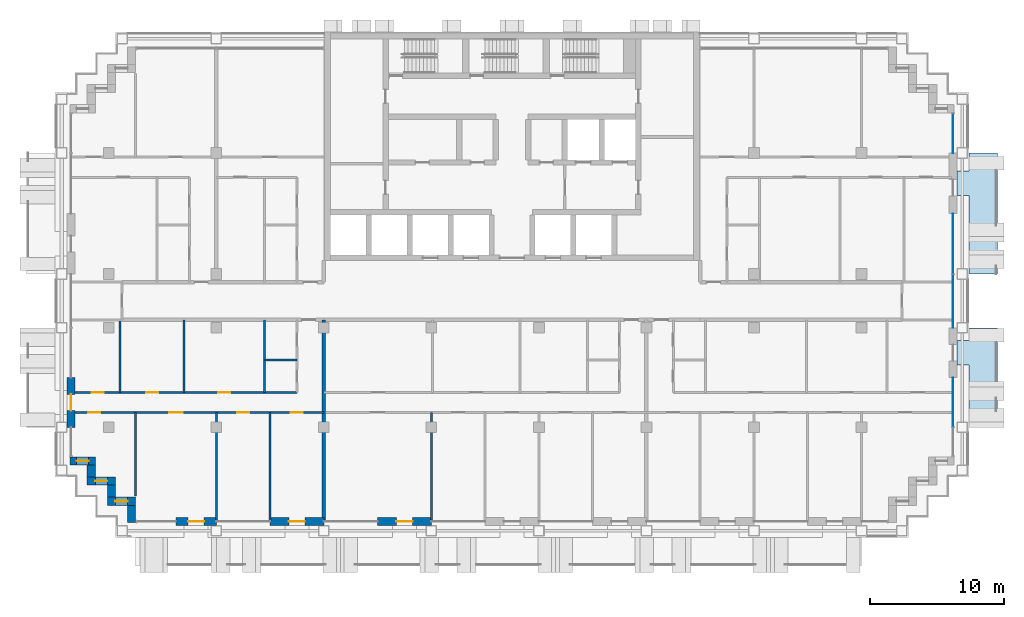
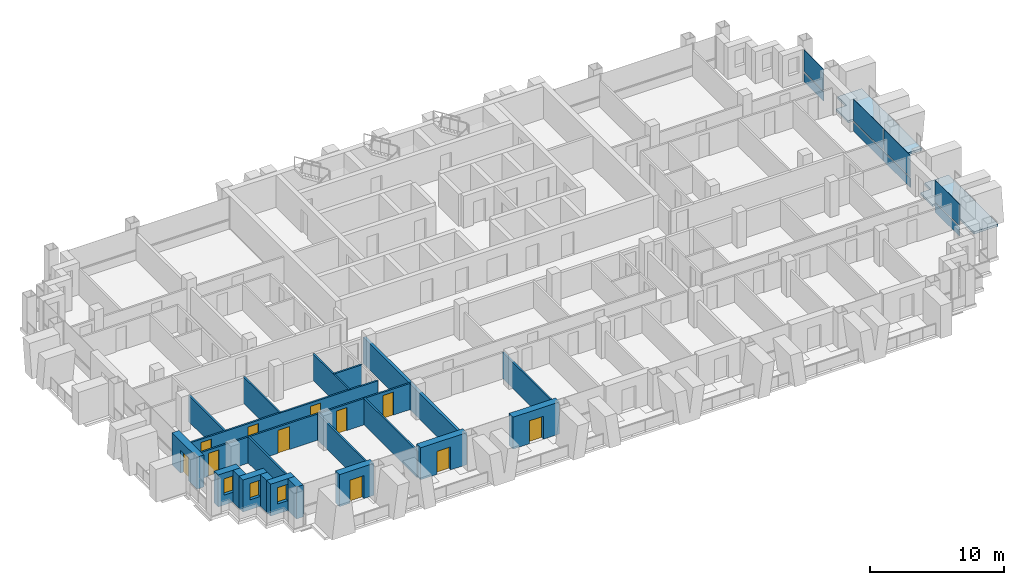
# One storey, part 7 of 17: 21 walls, 11 doors, 8 plates, 3 windows, 2 slabs, 14 openings, 3 elements without a shape of their own.
"""IFC4 building model written with IfcOpenShell, lengths in metres."""

import ifcopenshell
import ifcopenshell.guid

model = None  # the IFC model being written
_history = None  # IfcOwnerHistory: only IFC2X3 demands one
_inside = {}  # id of a spatial element -> (the spatial element, [elements in it])
_under = {}  # id of a project, library or spatial element -> (it, [spatial elements below it])
_declared = {}  # id of a project -> (the project, [libraries it declares])
_typed = {}  # id of a type object -> (the type object, [elements of that type])
_made_of = {}  # id of a material, layer set ... -> (it, [elements and type objects made of it])


def new_model(schema):
    """Start an empty IFC model of exactly this schema.

    Asked for "IFC4X3", IfcOpenShell would pick the latest addendum, in which some entities
    have other attributes; the version numbers below select the first issue.
    IFC2X3 requires an IfcOwnerHistory on every rooted entity: one is made here for all.
    """
    global model, _history
    if schema == "IFC4X3":
        model = ifcopenshell.file(schema_version=(4, 3, 0, 0))
    else:
        model = ifcopenshell.file(schema=schema)
    _inside.clear()
    _under.clear()
    _declared.clear()
    _typed.clear()
    _made_of.clear()
    _history = None
    if model.schema == "IFC2X3":
        org = make("IfcOrganization", Name="unknown")
        user = make(
            "IfcPersonAndOrganization",
            ThePerson=make("IfcPerson", FamilyName="unknown"),
            TheOrganization=org,
        )
        app = make(
            "IfcApplication",
            ApplicationDeveloper=org,
            Version="unknown",
            ApplicationFullName="unknown",
            ApplicationIdentifier="unknown",
        )
        _history = make(
            "IfcOwnerHistory",
            OwningUser=user,
            OwningApplication=app,
            ChangeAction="ADDED",
            CreationDate=0,
        )
    return model


def make(cls, **values):
    """One entity of the class cls with the attributes given. An attribute that is None is left unset."""
    return model.create_entity(
        cls, **{name: value for name, value in values.items() if value is not None}
    )


def rooted(cls, **values):
    """An entity with a GlobalId (a new one), such as an element, a storey or a relation."""
    return make(cls, GlobalId=ifcopenshell.guid.new(), OwnerHistory=_history, **values)


def si_unit(unit_type, name, prefix=None):
    """IfcSIUnit, for example si_unit("LENGTHUNIT", "METRE", prefix="MILLI")."""
    return make("IfcSIUnit", UnitType=unit_type, Prefix=prefix, Name=name)


def assignment(units):
    """IfcUnitAssignment: the units of a project."""
    return None if units is None else make("IfcUnitAssignment", Units=units)


def point(xyz):
    """IfcCartesianPoint."""
    return None if xyz is None else make("IfcCartesianPoint", Coordinates=xyz)


def direction(xyz):
    """IfcDirection."""
    return None if xyz is None else make("IfcDirection", DirectionRatios=xyz)


def frame(location, z_axis=None, x_axis=None):
    """IfcAxis2Placement3D, a coordinate frame: its origin and axes. An axis left out is left unset."""
    return make(
        "IfcAxis2Placement3D",
        Location=point(location),
        Axis=direction(z_axis),
        RefDirection=direction(x_axis),
    )


def frame_2d(location, x_axis=None):
    """IfcAxis2Placement2D, a coordinate frame in the plane: its origin and x axis."""
    return make(
        "IfcAxis2Placement2D", Location=point(location), RefDirection=direction(x_axis)
    )


def origin():
    """The frame at (0, 0, 0) with its axes left unset."""
    return frame((0.0, 0.0, 0.0))


def origin_2d():
    """The frame at (0, 0) in the plane with its x axis left unset."""
    return frame_2d((0.0, 0.0))


def place(relative_to, where):
    """IfcLocalPlacement: puts the frame where relative to a parent placement (None: the world)."""
    return make(
        "IfcLocalPlacement", PlacementRelTo=relative_to, RelativePlacement=where
    )


def context(
    kind, dimensions, precision=None, world=None, true_north=None, identifier=None
):
    """IfcGeometricRepresentationContext, for example the 3D "Model" context."""
    return make(
        "IfcGeometricRepresentationContext",
        ContextIdentifier=identifier,
        ContextType=kind,
        CoordinateSpaceDimension=dimensions,
        Precision=precision,
        WorldCoordinateSystem=world,
        TrueNorth=true_north,
    )


def subcontext(parent, identifier, kind, view, scale=None):
    """IfcGeometricRepresentationSubContext, for example "Body" below "Model"."""
    return make(
        "IfcGeometricRepresentationSubContext",
        ContextIdentifier=identifier,
        ContextType=kind,
        ParentContext=parent,
        TargetScale=scale,
        TargetView=view,
    )


def project(units=None, contexts=None):
    """IfcProject with its units and contexts."""
    return rooted(
        "IfcProject",
        Name="project",
        RepresentationContexts=contexts,
        UnitsInContext=assignment(units),
    )


def spatial(cls, under=None, at=None, **own):
    """A site, building, storey or space (cls), placed at a placement, below another one or the project."""
    s = rooted(cls, ObjectPlacement=at, **own)
    if under is not None:
        _under.setdefault(under.id(), (under, []))[1].append(s)
    return s


def polyline(points):
    """IfcPolyline through the points."""
    return make("IfcPolyline", Points=[point(p) for p in points])


def profile(cls, at=None, kind="AREA", **sizes):
    """A parametric profile (cls). Its sizes go by their IFC names, for example OverallWidth=200.0."""
    return make(cls, ProfileType=kind, Position=at, **sizes)


def rectangle(**sizes):
    """IfcRectangleProfileDef."""
    return profile("IfcRectangleProfileDef", **sizes)


def outline(outer, holes=None, kind="AREA"):
    """IfcArbitraryClosedProfileDef: a profile drawn as a closed curve; with holes, ...WithVoids."""
    if holes is None:
        return make("IfcArbitraryClosedProfileDef", ProfileType=kind, OuterCurve=outer)
    return make(
        "IfcArbitraryProfileDefWithVoids",
        ProfileType=kind,
        OuterCurve=outer,
        InnerCurves=holes,
    )


def extrude(swept, where, along, depth):
    """IfcExtrudedAreaSolid: the profile swept, set in the frame where, extruded along a direction by depth."""
    return make(
        "IfcExtrudedAreaSolid",
        SweptArea=swept,
        Position=where,
        ExtrudedDirection=direction(along),
        Depth=depth,
    )


def shape(context_of_items, identifier, shape_type, items):
    """IfcShapeRepresentation: the items that make up one representation, for example the "Body"."""
    return make(
        "IfcShapeRepresentation",
        ContextOfItems=context_of_items,
        RepresentationIdentifier=identifier,
        RepresentationType=shape_type,
        Items=items,
    )


def material(Name=None, Category=None):
    """IfcMaterial."""
    return make("IfcMaterial", Name=Name, Category=Category)


def layer(
    of_material, thickness, ventilated=None, Name=None, Category=None, Priority=None
):
    """IfcMaterialLayer: one layer of a wall or slab, of a material (None: an air gap)."""
    return make(
        "IfcMaterialLayer",
        Material=of_material,
        LayerThickness=thickness,
        IsVentilated=ventilated,
        Name=Name,
        Category=Category,
        Priority=Priority,
    )


def layer_set(layers, Name=None):
    """IfcMaterialLayerSet."""
    return make("IfcMaterialLayerSet", MaterialLayers=layers, LayerSetName=Name)


def made_of(thing, what):
    """Note that an element or type object is made of a material, layer set ...; save() writes the relation."""
    if what is not None:
        _made_of.setdefault(what.id(), (what, []))[1].append(thing)
    return thing


def type_object(cls, material=None, **own):
    """A type object (cls), such as IfcWallType, which elements share."""
    return made_of(rooted(cls, **own), material)


def element(
    cls,
    number,
    at=None,
    inside=None,
    cuts=None,
    type_object=None,
    material=None,
    context=None,
    identifier="Body",
    shape_type=None,
    held_by="IfcProductDefinitionShape",
    body=None,
    shapes=None,
    **own,
):
    """One element of the class cls, such as IfcWall. Its Tag is "e" and its number.

    at: its placement. inside: the storey or other place that contains it. cuts: it is an
    opening in that element (IfcRelVoidsElement). A single representation is given by context,
    identifier, shape_type and body (its items); several are given by shapes. held_by: the class
    of the entity that holds the representations. save() writes the other relations.
    """
    e = rooted(cls, Tag="e%d" % number, ObjectPlacement=at, **own)
    if body is not None:
        shapes = [shape(context, identifier, shape_type, body)]
    if shapes is not None:
        e.Representation = make(held_by, Representations=shapes)
    if inside is not None:
        _inside.setdefault(inside.id(), (inside, []))[1].append(e)
    if cuts is not None:
        rooted(
            "IfcRelVoidsElement", RelatingBuildingElement=cuts, RelatedOpeningElement=e
        )
    if type_object is not None:
        _typed.setdefault(type_object.id(), (type_object, []))[1].append(e)
    return made_of(e, material)


def fill(opening, filler):
    """IfcRelFillsElement: the door or window that sits in an opening."""
    return rooted(
        "IfcRelFillsElement",
        RelatingOpeningElement=opening,
        RelatedBuildingElement=filler,
    )


def aggregate(whole, parts):
    """IfcRelAggregates: a whole, such as a stair, and the parts it consists of."""
    return rooted("IfcRelAggregates", RelatingObject=whole, RelatedObjects=parts)


def save(model, path):
    """Write the relations noted so far, then the file.

    IfcRelAggregates (storeys below a building ...), IfcRelContainedInSpatialStructure (elements
    in a storey), IfcRelDefinesByType, IfcRelAssociatesMaterial and IfcRelDeclares: one each for
    every whole, place, type object, material and project.
    """
    for whole, parts in _under.values():
        aggregate(whole, parts)
    for where, things in _inside.values():
        rooted(
            "IfcRelContainedInSpatialStructure",
            RelatedElements=things,
            RelatingStructure=where,
        )
    for kind, things in _typed.values():
        rooted("IfcRelDefinesByType", RelatedObjects=things, RelatingType=kind)
    for what, things in _made_of.values():
        rooted("IfcRelAssociatesMaterial", RelatedObjects=things, RelatingMaterial=what)
    for by, libraries in _declared.values():
        rooted("IfcRelDeclares", RelatingContext=by, RelatedDefinitions=libraries)
    model.write(path)


model = new_model("IFC4")

# Units and contexts
model_context = context("Model", 3, precision=1e-05, world=origin(), true_north=direction((0.0, 1.0)))
body_context = subcontext(model_context, "Body", "Model", "MODEL_VIEW")
ifc_project = project(units=[si_unit("LENGTHUNIT", "METRE"), si_unit("AREAUNIT", "SQUARE_METRE"), si_unit("VOLUMEUNIT", "CUBIC_METRE"), si_unit("PLANEANGLEUNIT", "RADIAN"), si_unit("MASSUNIT", "GRAM", prefix="KILO")], contexts=[model_context])

# Site, building, storey
site_placement = place(None, origin())
site = spatial("IfcSite", under=ifc_project, at=site_placement, CompositionType="ELEMENT")
building_placement = place(site_placement, origin())
building = spatial("IfcBuilding", under=site, at=building_placement, Name="Vidyagriha Tower", CompositionType="ELEMENT")
storey_placement = place(building_placement, frame((0.0, 0.0, 139.0)))
storey = spatial("IfcBuildingStorey", under=building, at=storey_placement, Name="L36", CompositionType="ELEMENT", Elevation=139.0)

# Curtain wall, plate
ifc_material_1 = material(Name="Aluminium and glass curtain wall", Category="aluminium")
curtain_wall_type = type_object("IfcCurtainWallType", Name="Dwelling skin unitised curtain wall", PredefinedType="USERDEFINED", material=ifc_material_1)
curtain_wall_1_placement = place(storey_placement, origin())
curtain_wall_1 = element("IfcCurtainWall", 1, at=curtain_wall_1_placement, inside=storey, type_object=curtain_wall_type, Name="CW1 dwelling skin", ObjectType="UNITISED", PredefinedType="USERDEFINED")
ifc_material_2 = material(Name="Glass dark ceramic-fritted spandrel", Category="glass")
ifc_layer_1 = layer(ifc_material_2, 0.0400390625)
ifc_layer_set_1 = layer_set([ifc_layer_1], Name="Glass dark ceramic-fritted spandrel")
plate_type_1 = type_object("IfcPlateType", Name="Ceramic-fritted spandrel panel", PredefinedType="CURTAIN_PANEL", material=ifc_layer_set_1)
plate_1_placement = place(storey_placement, frame((32.800048828125, -7.532470703125, 0.0), z_axis=(0.0, 0.0, 1.0), x_axis=(0.0, 1.0, 0.0)))
plate_1 = element("IfcPlate", 2, at=plate_1_placement, type_object=plate_type_1, Name="CW1 panel 2.1", PredefinedType="CURTAIN_PANEL", context=body_context, shape_type="SweptSolid", body=[
    extrude(rectangle(XDim=3.6650390625, YDim=0.0400390625, at=origin_2d()), origin(), (0.0, 0.0, 1.0), 0.85009765625),
])

curtain_wall_2_placement = place(storey_placement, origin())
curtain_wall_2 = element("IfcCurtainWall", 3, at=curtain_wall_2_placement, inside=storey, type_object=curtain_wall_type, Name="CW1 dwelling skin", ObjectType="UNITISED", PredefinedType="USERDEFINED")
plate_2_placement = place(storey_placement, frame((32.800048828125, 12.465087890625, 0.0), z_axis=(0.0, 0.0, 1.0), x_axis=(0.0, 1.0, 0.0)))
plate_2 = element("IfcPlate", 4, at=plate_2_placement, type_object=plate_type_1, Name="CW1 panel 1.1", PredefinedType="CURTAIN_PANEL", context=body_context, shape_type="SweptSolid", body=[
    extrude(rectangle(XDim=2.929931640625, YDim=0.0400390625, at=origin_2d()), origin(), (0.0, 0.0, 1.0), 0.85009765625),
])

# Plate
ifc_material_3 = material(Name="Glass dark ceramic-fritted", Category="glass")
ifc_layer_2 = layer(ifc_material_3, 0.028076171875)
ifc_layer_set_2 = layer_set([ifc_layer_2], Name="Glass dark ceramic-fritted")
plate_type_2 = type_object("IfcPlateType", Name="Dark ceramic-fritted vision glass panel", PredefinedType="CURTAIN_PANEL", material=ifc_layer_set_2)
plate_3_placement = place(storey_placement, frame((32.800048828125, -7.532470703125, 0.9501953125), z_axis=(0.0, 0.0, 1.0), x_axis=(0.0, 1.0, 0.0)))
plate_3 = element("IfcPlate", 5, at=plate_3_placement, type_object=plate_type_2, Name="CW1 panel 2.2", PredefinedType="CURTAIN_PANEL", context=body_context, shape_type="SweptSolid", body=[
    extrude(rectangle(XDim=3.6650390625, YDim=0.028076171875, at=origin_2d()), origin(), (0.0, 0.0, 1.0), 1.969970703125),
])

aggregate(curtain_wall_1, [plate_1, plate_3])

# Curtain wall, plates
curtain_wall_3_placement = place(storey_placement, origin())
curtain_wall_3 = element("IfcCurtainWall", 6, at=curtain_wall_3_placement, inside=storey, type_object=curtain_wall_type, Name="CW1 dwelling skin", ObjectType="UNITISED", PredefinedType="USERDEFINED")
plate_4_placement = place(storey_placement, frame((32.800048828125, -0.017578125, 0.9501953125), z_axis=(0.0, 0.0, 1.0), x_axis=(0.0, 1.0, 0.0)))
plate_4 = element("IfcPlate", 7, at=plate_4_placement, type_object=plate_type_2, Name="CW1 panel 1.2", PredefinedType="CURTAIN_PANEL", context=body_context, shape_type="SweptSolid", body=[
    extrude(rectangle(XDim=3.965087890625, YDim=0.028076171875, at=origin_2d()), origin(), (0.0, 0.0, 1.0), 1.969970703125),
])
plate_5_placement = place(storey_placement, frame((32.800048828125, 4.267578125, 0.9501953125), z_axis=(0.0, 0.0, 1.0), x_axis=(0.0, 1.0, 0.0)))
plate_5 = element("IfcPlate", 8, at=plate_5_placement, type_object=plate_type_2, Name="CW1 panel 2.2", PredefinedType="CURTAIN_PANEL", context=body_context, shape_type="SweptSolid", body=[
    extrude(rectangle(XDim=4.465087890625, YDim=0.028076171875, at=origin_2d()), origin(), (0.0, 0.0, 1.0), 1.969970703125),
])

# Plate
plate_6_placement = place(storey_placement, frame((32.800048828125, 12.465087890625, 0.9501953125), z_axis=(0.0, 0.0, 1.0), x_axis=(0.0, 1.0, 0.0)))
plate_6 = element("IfcPlate", 9, at=plate_6_placement, type_object=plate_type_2, Name="CW1 panel 1.2", PredefinedType="CURTAIN_PANEL", context=body_context, shape_type="SweptSolid", body=[
    extrude(rectangle(XDim=2.929931640625, YDim=0.028076171875, at=origin_2d()), origin(), (0.0, 0.0, 1.0), 1.969970703125),
])

aggregate(curtain_wall_2, [plate_2, plate_6])

ifc_material_4 = material(Name="Aluminium black anodised", Category="aluminium")
ifc_layer_3 = layer(ifc_material_4, 0.06005859375)
ifc_layer_set_3 = layer_set([ifc_layer_3], Name="Aluminium black anodised")
plate_type_3 = type_object("IfcPlateType", Name="Operable black-metal vent panel", PredefinedType="CURTAIN_PANEL", material=ifc_layer_set_3)
plate_7_placement = place(storey_placement, frame((32.800048828125, -0.017578125, 0.0), z_axis=(0.0, 0.0, 1.0), x_axis=(0.0, 1.0, 0.0)))
plate_7 = element("IfcPlate", 10, at=plate_7_placement, type_object=plate_type_3, Name="CW1 panel 1.1", PredefinedType="CURTAIN_PANEL", context=body_context, shape_type="SweptSolid", body=[
    extrude(rectangle(XDim=3.965087890625, YDim=0.06005859375, at=origin_2d()), origin(), (0.0, 0.0, 1.0), 0.85009765625),
])

plate_8_placement = place(storey_placement, frame((32.800048828125, 4.267578125, 0.0), z_axis=(0.0, 0.0, 1.0), x_axis=(0.0, 1.0, 0.0)))
plate_8 = element("IfcPlate", 11, at=plate_8_placement, type_object=plate_type_3, Name="CW1 panel 2.1", PredefinedType="CURTAIN_PANEL", context=body_context, shape_type="SweptSolid", body=[
    extrude(rectangle(XDim=4.465087890625, YDim=0.06005859375, at=origin_2d()), origin(), (0.0, 0.0, 1.0), 0.85009765625),
])

aggregate(curtain_wall_3, [plate_7, plate_4, plate_8, plate_5])

# Slabs
ifc_material_5 = material(Name="Precast concrete C40/50", Category="concrete")
ifc_layer_4 = layer(ifc_material_5, 0.199951171875)
ifc_layer_set_4 = layer_set([ifc_layer_4], Name="Precast concrete C40/50")
slab_type = type_object("IfcSlabType", Name="Precast balcony slab 200", PredefinedType="USERDEFINED", material=ifc_layer_set_4)
slab_1_placement = place(storey_placement, frame((0.0, 0.0, -0.199951171875)))
element("IfcSlab", 12, at=slab_1_placement, inside=storey, type_object=slab_type, Name="Balcony slab L36 R30.1-1", ObjectType="BALCONY", PredefinedType="USERDEFINED", context=body_context, shape_type="SweptSolid", body=[
    extrude(outline(polyline([(34.0, -4.75), (34.0, -9.39990234375), (36.10009765625, -9.39990234375), (36.10009765625, -2.0), (34.0, -2.0), (34.0, -2.949951171875), (33.10009765625, -2.949951171875), (33.10009765625, -4.75), (34.0, -4.75)])), origin(), (0.0, 0.0, 1.0), 0.199951171875),
])
slab_2_placement = place(storey_placement, frame((0.0, 0.0, -0.199951171875)))
element("IfcSlab", 13, at=slab_2_placement, inside=storey, type_object=slab_type, Name="Balcony slab L36 R30.2-2", ObjectType="BALCONY", PredefinedType="USERDEFINED", context=body_context, shape_type="SweptSolid", body=[
    extrude(outline(polyline([(34.0, 7.85009765625), (34.0, 2.0), (36.10009765625, 2.0), (36.10009765625, 11.0), (34.0, 11.0), (34.0, 9.64990234375), (33.10009765625, 9.64990234375), (33.10009765625, 7.85009765625), (34.0, 7.85009765625)])), origin(), (0.0, 0.0, 1.0), 0.199951171875),
])

# Wall, opening, door
ifc_material_6 = material(Name="Precast concrete C40/50 with brick facing", Category="concrete")
ifc_layer_5 = layer(ifc_material_6, 0.60009765625)
ifc_layer_set_5 = layer_set([ifc_layer_5], Name="Precast concrete C40/50 with brick facing")
wall_type_1 = type_object("IfcWallType", Name="Brick-faced precast wall 600", PredefinedType="STANDARD", material=ifc_layer_set_5)
wall_1_placement = place(storey_placement, frame((-32.800048828125, -5.699951171875, 0.0), z_axis=(0.0, 0.0, 1.0), x_axis=(0.0, -1.0, 0.0)))
wall_1 = element("IfcWall", 14, at=wall_1_placement, inside=storey, type_object=wall_type_1, Name="Brick door bay wall L36 R16.6", PredefinedType="STANDARD", context=body_context, shape_type="SweptSolid", body=[
    extrude(rectangle(XDim=3.699951171875, YDim=0.60009765625, at=frame_2d((1.85009765625, 0.0))), origin(), (0.0, 0.0, 1.0), 2.919921875),
])
opening_1_placement = place(wall_1_placement, frame((1.25, 0.0, 0.0)))
opening_1 = element("IfcOpeningElement", 15, at=opening_1_placement, cuts=wall_1, Name="Opening D36-68", PredefinedType="OPENING", context=body_context, shape_type="SweptSolid", body=[
    extrude(rectangle(XDim=1.199951171875, YDim=2.10009765625, at=frame_2d((0.60009765625, 1.050048828125))), frame((0.0, 0.31005859375, 0.0), z_axis=(0.0, -1.0, 0.0), x_axis=(1.0, 0.0, 0.0)), (0.0, 0.0, 1.0), 0.6201171875),
])
ifc_material_7 = material(Name="Aluminium framed glazed sliding door", Category="aluminium")
door_type_1 = type_object("IfcDoorType", Name="Balcony sliding door 1200x2100", OperationType="NOTDEFINED", PredefinedType="DOOR", material=ifc_material_7)
door_1_placement = place(opening_1_placement, origin())
door_1 = element("IfcDoor", 16, at=door_1_placement, inside=storey, type_object=door_type_1, Name="Door D36-68", OperationType="SLIDING_TO_LEFT", OverallHeight=2.10009765625, OverallWidth=1.199951171875, PredefinedType="DOOR", context=body_context, shape_type="SweptSolid", body=[
    extrude(rectangle(XDim=1.199951171875, YDim=2.10009765625, at=frame_2d((0.60009765625, 1.050048828125))), frame((0.0, 0.02490234375, 0.0), z_axis=(0.0, -1.0, 0.0), x_axis=(1.0, 0.0, 0.0)), (0.0, 0.0, 1.0), 0.050048828125),
])
fill(opening_1, door_1)

# Wall, opening, window
wall_2_placement = place(storey_placement, frame((-32.8798828125, -11.89990234375, 0.0)))
wall_2 = element("IfcWall", 17, at=wall_2_placement, inside=storey, type_object=wall_type_1, Name="Stepped corner wall L36 R17", PredefinedType="STANDARD", context=body_context, shape_type="SweptSolid", body=[
    extrude(rectangle(XDim=1.8798828125, YDim=0.60009765625, at=frame_2d((0.93994140625, 0.0))), origin(), (0.0, 0.0, 1.0), 2.919921875),
])
opening_2_placement = place(wall_2_placement, frame((0.489990234375, 0.0, 0.89990234375)))
opening_2 = element("IfcOpeningElement", 18, at=opening_2_placement, cuts=wall_2, Name="Opening WN1", PredefinedType="OPENING", context=body_context, shape_type="SweptSolid", body=[
    extrude(rectangle(XDim=0.89990234375, YDim=1.5, at=frame_2d((0.449951171875, 0.75))), frame((0.0, 0.31005859375, 0.0), z_axis=(0.0, -1.0, 0.0), x_axis=(1.0, 0.0, 0.0)), (0.0, 0.0, 1.0), 0.6201171875),
])
ifc_material_8 = material(Name="Aluminium and glass window", Category="aluminium")
window_type = type_object("IfcWindowType", Name="Reveal window 900x1500", PartitioningType="NOTDEFINED", PredefinedType="WINDOW", material=ifc_material_8)
window_1_placement = place(opening_2_placement, origin())
window_1 = element("IfcWindow", 19, at=window_1_placement, inside=storey, type_object=window_type, Name="Reveal window L36 R17", OverallHeight=1.5, OverallWidth=0.89990234375, PartitioningType="SINGLE_PANEL", PredefinedType="WINDOW", context=body_context, shape_type="SweptSolid", body=[
    extrude(rectangle(XDim=0.89990234375, YDim=1.5, at=frame_2d((0.449951171875, 0.75))), frame((0.0, 0.030029296875, 0.0), z_axis=(0.0, -1.0, 0.0), x_axis=(1.0, 0.0, 0.0)), (0.0, 0.0, 1.0), 0.06005859375),
])
fill(opening_2, window_1)

# Wall
wall_3_placement = place(storey_placement, frame((-31.300048828125, -12.199951171875, 0.0), z_axis=(0.0, 0.0, 1.0), x_axis=(0.0, -1.0, 0.0)))
element("IfcWall", 20, at=wall_3_placement, inside=storey, type_object=wall_type_1, Name="Stepped corner wall L36 R18", PredefinedType="STANDARD", context=body_context, shape_type="SweptSolid", body=[
    extrude(rectangle(XDim=0.900146484375, YDim=0.60009765625, at=frame_2d((0.4501953125, 0.0))), origin(), (0.0, 0.0, 1.0), 2.919921875),
])

# Wall, opening, window
wall_4_placement = place(storey_placement, frame((-31.60009765625, -13.39990234375, 0.0)))
wall_4 = element("IfcWall", 21, at=wall_4_placement, inside=storey, type_object=wall_type_1, Name="Stepped corner wall L36 R19", PredefinedType="STANDARD", context=body_context, shape_type="SweptSolid", body=[
    extrude(rectangle(XDim=2.10009765625, YDim=0.60009765625, at=frame_2d((1.050048828125, 0.0))), origin(), (0.0, 0.0, 1.0), 2.919921875),
])
opening_3_placement = place(wall_4_placement, frame((0.60009765625, 0.0, 0.89990234375)))
opening_3 = element("IfcOpeningElement", 22, at=opening_3_placement, cuts=wall_4, Name="Opening WN1", PredefinedType="OPENING", context=body_context, shape_type="SweptSolid", body=[
    extrude(rectangle(XDim=0.89990234375, YDim=1.5, at=frame_2d((0.449951171875, 0.75))), frame((0.0, 0.31005859375, 0.0), z_axis=(0.0, -1.0, 0.0), x_axis=(1.0, 0.0, 0.0)), (0.0, 0.0, 1.0), 0.6201171875),
])
window_2_placement = place(opening_3_placement, origin())
window_2 = element("IfcWindow", 23, at=window_2_placement, inside=storey, type_object=window_type, Name="Reveal window L36 R19", OverallHeight=1.5, OverallWidth=0.89990234375, PartitioningType="SINGLE_PANEL", PredefinedType="WINDOW", context=body_context, shape_type="SweptSolid", body=[
    extrude(rectangle(XDim=0.89990234375, YDim=1.5, at=frame_2d((0.449951171875, 0.75))), frame((0.0, 0.030029296875, 0.0), z_axis=(0.0, -1.0, 0.0), x_axis=(1.0, 0.0, 0.0)), (0.0, 0.0, 1.0), 0.06005859375),
])
fill(opening_3, window_2)

# Wall
wall_5_placement = place(storey_placement, frame((-29.800048828125, -13.699951171875, 0.0), z_axis=(0.0, 0.0, 1.0), x_axis=(0.0, -1.0, 0.0)))
element("IfcWall", 24, at=wall_5_placement, inside=storey, type_object=wall_type_1, Name="Stepped corner wall L36 R20", PredefinedType="STANDARD", context=body_context, shape_type="SweptSolid", body=[
    extrude(rectangle(XDim=0.900146484375, YDim=0.60009765625, at=frame_2d((0.4501953125, 0.0))), origin(), (0.0, 0.0, 1.0), 2.919921875),
])

# Wall, opening, window
wall_6_placement = place(storey_placement, frame((-30.10009765625, -14.89990234375, 0.0)))
wall_6 = element("IfcWall", 25, at=wall_6_placement, inside=storey, type_object=wall_type_1, Name="Stepped corner wall L36 R21", PredefinedType="STANDARD", context=body_context, shape_type="SweptSolid", body=[
    extrude(rectangle(XDim=2.10009765625, YDim=0.60009765625, at=frame_2d((1.050048828125, 0.0))), origin(), (0.0, 0.0, 1.0), 2.919921875),
])
opening_4_placement = place(wall_6_placement, frame((0.60009765625, 0.0, 0.89990234375)))
opening_4 = element("IfcOpeningElement", 26, at=opening_4_placement, cuts=wall_6, Name="Opening WN1", PredefinedType="OPENING", context=body_context, shape_type="SweptSolid", body=[
    extrude(rectangle(XDim=0.89990234375, YDim=1.5, at=frame_2d((0.449951171875, 0.75))), frame((0.0, 0.31005859375, 0.0), z_axis=(0.0, -1.0, 0.0), x_axis=(1.0, 0.0, 0.0)), (0.0, 0.0, 1.0), 0.6201171875),
])
window_3_placement = place(opening_4_placement, origin())
window_3 = element("IfcWindow", 27, at=window_3_placement, inside=storey, type_object=window_type, Name="Reveal window L36 R21", OverallHeight=1.5, OverallWidth=0.89990234375, PartitioningType="SINGLE_PANEL", PredefinedType="WINDOW", context=body_context, shape_type="SweptSolid", body=[
    extrude(rectangle(XDim=0.89990234375, YDim=1.5, at=frame_2d((0.449951171875, 0.75))), frame((0.0, 0.030029296875, 0.0), z_axis=(0.0, -1.0, 0.0), x_axis=(1.0, 0.0, 0.0)), (0.0, 0.0, 1.0), 0.06005859375),
])
fill(opening_4, window_3)

# Wall
wall_7_placement = place(storey_placement, frame((-28.300048828125, -15.199951171875, 0.0), z_axis=(0.0, 0.0, 1.0), x_axis=(0.0, -1.0, 0.0)))
element("IfcWall", 28, at=wall_7_placement, inside=storey, type_object=wall_type_1, Name="Stepped corner wall L36 R22", PredefinedType="STANDARD", context=body_context, shape_type="SweptSolid", body=[
    extrude(rectangle(XDim=1.280029296875, YDim=0.60009765625, at=frame_2d((0.64013671875, 0.0))), origin(), (0.0, 0.0, 1.0), 2.919921875),
])

# Wall, opening, door
wall_8_placement = place(storey_placement, frame((-25.0, -16.39990234375, 0.0)))
wall_8 = element("IfcWall", 29, at=wall_8_placement, inside=storey, type_object=wall_type_1, Name="Brick door bay wall L36 R23.2", PredefinedType="STANDARD", context=body_context, shape_type="SweptSolid", body=[
    extrude(rectangle(XDim=3.0, YDim=0.60009765625, at=frame_2d((1.5, 0.0))), origin(), (0.0, 0.0, 1.0), 2.919921875),
])
opening_5_placement = place(wall_8_placement, frame((0.89990234375, 0.0, 0.0)))
opening_5 = element("IfcOpeningElement", 30, at=opening_5_placement, cuts=wall_8, Name="Opening D36-69", PredefinedType="OPENING", context=body_context, shape_type="SweptSolid", body=[
    extrude(rectangle(XDim=1.199951171875, YDim=2.10009765625, at=frame_2d((0.60009765625, 1.050048828125))), frame((0.0, 0.31005859375, 0.0), z_axis=(0.0, -1.0, 0.0), x_axis=(1.0, 0.0, 0.0)), (0.0, 0.0, 1.0), 0.6201171875),
])
door_2_placement = place(opening_5_placement, origin())
door_2 = element("IfcDoor", 31, at=door_2_placement, inside=storey, type_object=door_type_1, Name="Door D36-69", OperationType="SLIDING_TO_LEFT", OverallHeight=2.10009765625, OverallWidth=1.199951171875, PredefinedType="DOOR", context=body_context, shape_type="SweptSolid", body=[
    extrude(rectangle(XDim=1.199951171875, YDim=2.10009765625, at=frame_2d((0.60009765625, 1.050048828125))), frame((0.0, 0.02490234375, 0.0), z_axis=(0.0, -1.0, 0.0), x_axis=(1.0, 0.0, 0.0)), (0.0, 0.0, 1.0), 0.050048828125),
])
fill(opening_5, door_2)

wall_9_placement = place(storey_placement, frame((-18.0, -16.39990234375, 0.0)))
wall_9 = element("IfcWall", 32, at=wall_9_placement, inside=storey, type_object=wall_type_1, Name="Brick door bay wall L36 R23.4", PredefinedType="STANDARD", context=body_context, shape_type="SweptSolid", body=[
    extrude(rectangle(XDim=4.0, YDim=0.60009765625, at=frame_2d((2.0, 0.0))), origin(), (0.0, 0.0, 1.0), 2.919921875),
])
opening_6_placement = place(wall_9_placement, frame((1.39990234375, 0.0, 0.0)))
opening_6 = element("IfcOpeningElement", 33, at=opening_6_placement, cuts=wall_9, Name="Opening D36-70", PredefinedType="OPENING", context=body_context, shape_type="SweptSolid", body=[
    extrude(rectangle(XDim=1.199951171875, YDim=2.10009765625, at=frame_2d((0.60009765625, 1.050048828125))), frame((0.0, 0.31005859375, 0.0), z_axis=(0.0, -1.0, 0.0), x_axis=(1.0, 0.0, 0.0)), (0.0, 0.0, 1.0), 0.6201171875),
])
door_3_placement = place(opening_6_placement, origin())
door_3 = element("IfcDoor", 34, at=door_3_placement, inside=storey, type_object=door_type_1, Name="Door D36-70", OperationType="SLIDING_TO_LEFT", OverallHeight=2.10009765625, OverallWidth=1.199951171875, PredefinedType="DOOR", context=body_context, shape_type="SweptSolid", body=[
    extrude(rectangle(XDim=1.199951171875, YDim=2.10009765625, at=frame_2d((0.60009765625, 1.050048828125))), frame((0.0, 0.02490234375, 0.0), z_axis=(0.0, -1.0, 0.0), x_axis=(1.0, 0.0, 0.0)), (0.0, 0.0, 1.0), 0.050048828125),
])
fill(opening_6, door_3)

wall_10_placement = place(storey_placement, frame((-10.0, -16.39990234375, 0.0)))
wall_10 = element("IfcWall", 35, at=wall_10_placement, inside=storey, type_object=wall_type_1, Name="Brick door bay wall L36 R23.6", PredefinedType="STANDARD", context=body_context, shape_type="SweptSolid", body=[
    extrude(rectangle(XDim=4.0, YDim=0.60009765625, at=frame_2d((2.0, 0.0))), origin(), (0.0, 0.0, 1.0), 2.919921875),
])
opening_7_placement = place(wall_10_placement, frame((1.39990234375, 0.0, 0.0)))
opening_7 = element("IfcOpeningElement", 36, at=opening_7_placement, cuts=wall_10, Name="Opening D36-71", PredefinedType="OPENING", context=body_context, shape_type="SweptSolid", body=[
    extrude(rectangle(XDim=1.199951171875, YDim=2.10009765625, at=frame_2d((0.60009765625, 1.050048828125))), frame((0.0, 0.31005859375, 0.0), z_axis=(0.0, -1.0, 0.0), x_axis=(1.0, 0.0, 0.0)), (0.0, 0.0, 1.0), 0.6201171875),
])
door_4_placement = place(opening_7_placement, origin())
door_4 = element("IfcDoor", 37, at=door_4_placement, inside=storey, type_object=door_type_1, Name="Door D36-71", OperationType="SLIDING_TO_LEFT", OverallHeight=2.10009765625, OverallWidth=1.199951171875, PredefinedType="DOOR", context=body_context, shape_type="SweptSolid", body=[
    extrude(rectangle(XDim=1.199951171875, YDim=2.10009765625, at=frame_2d((0.60009765625, 1.050048828125))), frame((0.0, 0.02490234375, 0.0), z_axis=(0.0, -1.0, 0.0), x_axis=(1.0, 0.0, 0.0)), (0.0, 0.0, 1.0), 0.050048828125),
])
fill(opening_7, door_4)

# Walls
ifc_material_9 = material(Name="Fired clay brick masonry", Category="masonry")
ifc_layer_6 = layer(ifc_material_9, 0.25)
ifc_layer_set_6 = layer_set([ifc_layer_6], Name="Fired clay brick masonry")
wall_type_2 = type_object("IfcWallType", Name="Fired clay brick demising wall 250", PredefinedType="PARTITIONING", material=ifc_layer_set_6)
wall_11_placement = place(storey_placement, frame((-14.0, -1.39990234375, 0.0), z_axis=(0.0, 0.0, 1.0), x_axis=(0.0, -1.0, 0.0)))
element("IfcWall", 38, at=wall_11_placement, inside=storey, type_object=wall_type_2, Name="Wall all-L36-w043", PredefinedType="PARTITIONING", context=body_context, shape_type="SweptSolid", body=[
    extrude(rectangle(XDim=14.91015625, YDim=0.25, at=frame_2d((7.455078125, 0.0))), origin(), (0.0, 0.0, 1.0), 2.39990234375),
])
ifc_material_10 = material(Name="Gypsum board partition")
ifc_layer_7 = layer(ifc_material_10, 0.14990234375)
ifc_layer_set_7 = layer_set([ifc_layer_7], Name="Gypsum board partition")
wall_type_3 = type_object("IfcWallType", Name="Gypsum board partition 150", PredefinedType="PARTITIONING", material=ifc_layer_set_7)
wall_12_placement = place(storey_placement, frame((-16.0, -4.39990234375, 0.0), z_axis=(0.0, 0.0, 1.0), x_axis=(-1.0, 0.0, 0.0)))
element("IfcWall", 39, at=wall_12_placement, inside=storey, type_object=wall_type_3, Name="Wall all-L36-w004", PredefinedType="PARTITIONING", context=body_context, shape_type="SweptSolid", body=[
    extrude(rectangle(XDim=2.39990234375, YDim=0.14990234375, at=frame_2d((1.199951171875, 0.0))), origin(), (0.0, 0.0, 1.0), 2.39990234375),
])
for number, where, z_axis, x_axis, name in (
    (40, (-18.39990234375, -6.800048828125, 0.0), (0.0, 0.0, 1.0), (0.0, 1.0, 0.0), "Wall all-L36-w005"),
    (41, (-24.39990234375, -6.800048828125, 0.0), (0.0, 0.0, 1.0), (0.0, 1.0, 0.0), "Wall all-L36-w006"),
    (42, (-29.14990234375, -6.800048828125, 0.0), (0.0, 0.0, 1.0), (0.0, 1.0, 0.0), "Wall all-L36-w007"),
):
    element("IfcWall", number, at=place(storey_placement, frame(where, z_axis=z_axis, x_axis=x_axis)), inside=storey, type_object=wall_type_3, Name=name, PredefinedType="PARTITIONING", context=body_context, shape_type="SweptSolid", body=[
        extrude(rectangle(XDim=5.400146484375, YDim=0.14990234375, at=frame_2d((2.7001953125, 0.0))), origin(), (0.0, 0.0, 1.0), 2.39990234375),
    ])

# Wall, openings, doors
wall_13_placement = place(storey_placement, frame((-32.7099609375, -6.800048828125, 0.0)))
wall_13 = element("IfcWall", 43, at=wall_13_placement, inside=storey, type_object=wall_type_3, Name="Wall all-L36-w008", PredefinedType="PARTITIONING", context=body_context, shape_type="SweptSolid", body=[
    extrude(rectangle(XDim=16.7099609375, YDim=0.14990234375, at=frame_2d((8.35498046875, 0.0))), origin(), (0.0, 0.0, 1.0), 2.39990234375),
])
opening_8_placement = place(wall_13_placement, frame((10.860107421875, 0.0, 0.0)))
opening_8 = element("IfcOpeningElement", 44, at=opening_8_placement, cuts=wall_13, Name="Opening D36-15", PredefinedType="OPENING", context=body_context, shape_type="SweptSolid", body=[
    extrude(rectangle(XDim=0.89990234375, YDim=2.10009765625, at=frame_2d((0.449951171875, 1.050048828125))), frame((0.0, 0.0849609375, 0.0), z_axis=(0.0, -1.0, 0.0), x_axis=(1.0, 0.0, 0.0)), (0.0, 0.0, 1.0), 0.169921875),
])
opening_9_placement = place(wall_13_placement, frame((5.485107421875, 0.0, 0.0)))
opening_9 = element("IfcOpeningElement", 45, at=opening_9_placement, cuts=wall_13, Name="Opening D36-16", PredefinedType="OPENING", context=body_context, shape_type="SweptSolid", body=[
    extrude(rectangle(XDim=0.89990234375, YDim=2.10009765625, at=frame_2d((0.449951171875, 1.050048828125))), frame((0.0, 0.0849609375, 0.0), z_axis=(0.0, -1.0, 0.0), x_axis=(1.0, 0.0, 0.0)), (0.0, 0.0, 1.0), 0.169921875),
])
opening_10_placement = place(wall_13_placement, frame((1.43505859375, 0.0, 0.0)))
opening_10 = element("IfcOpeningElement", 46, at=opening_10_placement, cuts=wall_13, Name="Opening D36-17", PredefinedType="OPENING", context=body_context, shape_type="SweptSolid", body=[
    extrude(rectangle(XDim=0.89990234375, YDim=2.10009765625, at=frame_2d((0.449951171875, 1.050048828125))), frame((0.0, 0.0849609375, 0.0), z_axis=(0.0, -1.0, 0.0), x_axis=(1.0, 0.0, 0.0)), (0.0, 0.0, 1.0), 0.169921875),
])
ifc_material_11 = material(Name="Timber door leaf", Category="wood")
door_type_2 = type_object("IfcDoorType", Name="Room door 900x2100", OperationType="NOTDEFINED", PredefinedType="DOOR", material=ifc_material_11)
door_5_placement = place(opening_8_placement, origin())
door_5 = element("IfcDoor", 47, at=door_5_placement, inside=storey, type_object=door_type_2, Name="Door D36-15", OperationType="SINGLE_SWING_RIGHT", OverallHeight=2.10009765625, OverallWidth=0.89990234375, PredefinedType="DOOR", context=body_context, shape_type="SweptSolid", body=[
    extrude(rectangle(XDim=0.89990234375, YDim=2.10009765625, at=frame_2d((0.449951171875, 1.050048828125))), frame((0.0, 0.02490234375, 0.0), z_axis=(0.0, -1.0, 0.0), x_axis=(1.0, 0.0, 0.0)), (0.0, 0.0, 1.0), 0.050048828125),
])
fill(opening_8, door_5)
door_6_placement = place(opening_9_placement, origin())
door_6 = element("IfcDoor", 48, at=door_6_placement, inside=storey, type_object=door_type_2, Name="Door D36-16", OperationType="SINGLE_SWING_RIGHT", OverallHeight=2.10009765625, OverallWidth=0.89990234375, PredefinedType="DOOR", context=body_context, shape_type="SweptSolid", body=[
    extrude(rectangle(XDim=0.89990234375, YDim=2.10009765625, at=frame_2d((0.449951171875, 1.050048828125))), frame((0.0, 0.02490234375, 0.0), z_axis=(0.0, -1.0, 0.0), x_axis=(1.0, 0.0, 0.0)), (0.0, 0.0, 1.0), 0.050048828125),
])
fill(opening_9, door_6)
door_7_placement = place(opening_10_placement, origin())
door_7 = element("IfcDoor", 49, at=door_7_placement, inside=storey, type_object=door_type_2, Name="Door D36-17", OperationType="SINGLE_SWING_RIGHT", OverallHeight=2.10009765625, OverallWidth=0.89990234375, PredefinedType="DOOR", context=body_context, shape_type="SweptSolid", body=[
    extrude(rectangle(XDim=0.89990234375, YDim=2.10009765625, at=frame_2d((0.449951171875, 1.050048828125))), frame((0.0, 0.02490234375, 0.0), z_axis=(0.0, -1.0, 0.0), x_axis=(1.0, 0.0, 0.0)), (0.0, 0.0, 1.0), 0.050048828125),
])
fill(opening_10, door_7)

wall_14_placement = place(storey_placement, frame((-14.0, -8.300048828125, 0.0), z_axis=(0.0, 0.0, 1.0), x_axis=(-1.0, 0.0, 0.0)))
wall_14 = element("IfcWall", 50, at=wall_14_placement, inside=storey, type_object=wall_type_3, Name="Wall all-L36-w012", PredefinedType="PARTITIONING", context=body_context, shape_type="SweptSolid", body=[
    extrude(rectangle(XDim=18.7099609375, YDim=0.14990234375, at=frame_2d((9.35498046875, 0.0))), origin(), (0.0, 0.0, 1.0), 2.39990234375),
])
opening_11_placement = place(wall_14_placement, frame((16.617919921875, 0.0, 0.0)))
opening_11 = element("IfcOpeningElement", 51, at=opening_11_placement, cuts=wall_14, Name="Opening D36-18", PredefinedType="OPENING", context=body_context, shape_type="SweptSolid", body=[
    extrude(rectangle(XDim=0.89990234375, YDim=2.10009765625, at=frame_2d((0.449951171875, 1.050048828125))), frame((0.0, 0.0849609375, 0.0), z_axis=(0.0, -1.0, 0.0), x_axis=(1.0, 0.0, 0.0)), (0.0, 0.0, 1.0), 0.169921875),
])
opening_12_placement = place(wall_14_placement, frame((10.5, 0.0, 0.0)))
opening_12 = element("IfcOpeningElement", 52, at=opening_12_placement, cuts=wall_14, Name="Opening D36-19", PredefinedType="OPENING", context=body_context, shape_type="SweptSolid", body=[
    extrude(rectangle(XDim=1.0, YDim=2.10009765625, at=frame_2d((0.5, 1.050048828125))), frame((0.0, 0.0849609375, 0.0), z_axis=(0.0, -1.0, 0.0), x_axis=(1.0, 0.0, 0.0)), (0.0, 0.0, 1.0), 0.169921875),
])
opening_13_placement = place(wall_14_placement, frame((5.550048828125, 0.0, 0.0)))
opening_13 = element("IfcOpeningElement", 53, at=opening_13_placement, cuts=wall_14, Name="Opening D36-20", PredefinedType="OPENING", context=body_context, shape_type="SweptSolid", body=[
    extrude(rectangle(XDim=0.89990234375, YDim=2.10009765625, at=frame_2d((0.449951171875, 1.050048828125))), frame((0.0, 0.0849609375, 0.0), z_axis=(0.0, -1.0, 0.0), x_axis=(1.0, 0.0, 0.0)), (0.0, 0.0, 1.0), 0.169921875),
])
opening_14_placement = place(wall_14_placement, frame((1.550048828125, 0.0, 0.0)))
opening_14 = element("IfcOpeningElement", 54, at=opening_14_placement, cuts=wall_14, Name="Opening D36-21", PredefinedType="OPENING", context=body_context, shape_type="SweptSolid", body=[
    extrude(rectangle(XDim=0.89990234375, YDim=2.10009765625, at=frame_2d((0.449951171875, 1.050048828125))), frame((0.0, 0.0849609375, 0.0), z_axis=(0.0, -1.0, 0.0), x_axis=(1.0, 0.0, 0.0)), (0.0, 0.0, 1.0), 0.169921875),
])
ifc_material_12 = material(Name="Timber door leaf", Category="wood")
door_type_3 = type_object("IfcDoorType", Name="Room door 1000x2100", OperationType="NOTDEFINED", PredefinedType="DOOR", material=ifc_material_12)
door_8_placement = place(opening_12_placement, origin())
door_8 = element("IfcDoor", 55, at=door_8_placement, inside=storey, type_object=door_type_3, Name="Door D36-19", OperationType="SINGLE_SWING_RIGHT", OverallHeight=2.10009765625, OverallWidth=1.0, PredefinedType="DOOR", context=body_context, shape_type="SweptSolid", body=[
    extrude(rectangle(XDim=1.0, YDim=2.10009765625, at=frame_2d((0.5, 1.050048828125))), frame((0.0, 0.02490234375, 0.0), z_axis=(0.0, -1.0, 0.0), x_axis=(1.0, 0.0, 0.0)), (0.0, 0.0, 1.0), 0.050048828125),
])
fill(opening_12, door_8)
door_9_placement = place(opening_11_placement, origin())
door_9 = element("IfcDoor", 56, at=door_9_placement, inside=storey, type_object=door_type_2, Name="Door D36-18", OperationType="SINGLE_SWING_RIGHT", OverallHeight=2.10009765625, OverallWidth=0.89990234375, PredefinedType="DOOR", context=body_context, shape_type="SweptSolid", body=[
    extrude(rectangle(XDim=0.89990234375, YDim=2.10009765625, at=frame_2d((0.449951171875, 1.050048828125))), frame((0.0, 0.02490234375, 0.0), z_axis=(0.0, -1.0, 0.0), x_axis=(1.0, 0.0, 0.0)), (0.0, 0.0, 1.0), 0.050048828125),
])
fill(opening_11, door_9)
door_10_placement = place(opening_13_placement, origin())
door_10 = element("IfcDoor", 57, at=door_10_placement, inside=storey, type_object=door_type_2, Name="Door D36-20", OperationType="SINGLE_SWING_RIGHT", OverallHeight=2.10009765625, OverallWidth=0.89990234375, PredefinedType="DOOR", context=body_context, shape_type="SweptSolid", body=[
    extrude(rectangle(XDim=0.89990234375, YDim=2.10009765625, at=frame_2d((0.449951171875, 1.050048828125))), frame((0.0, 0.02490234375, 0.0), z_axis=(0.0, -1.0, 0.0), x_axis=(1.0, 0.0, 0.0)), (0.0, 0.0, 1.0), 0.050048828125),
])
fill(opening_13, door_10)
door_11_placement = place(opening_14_placement, origin())
door_11 = element("IfcDoor", 58, at=door_11_placement, inside=storey, type_object=door_type_2, Name="Door D36-21", OperationType="SINGLE_SWING_RIGHT", OverallHeight=2.10009765625, OverallWidth=0.89990234375, PredefinedType="DOOR", context=body_context, shape_type="SweptSolid", body=[
    extrude(rectangle(XDim=0.89990234375, YDim=2.10009765625, at=frame_2d((0.449951171875, 1.050048828125))), frame((0.0, 0.02490234375, 0.0), z_axis=(0.0, -1.0, 0.0), x_axis=(1.0, 0.0, 0.0)), (0.0, 0.0, 1.0), 0.050048828125),
])
fill(opening_14, door_11)

# Walls
wall_15_placement = place(storey_placement, frame((-28.0, -8.300048828125, 0.0), z_axis=(0.0, 0.0, 1.0), x_axis=(0.0, -1.0, 0.0)))
element("IfcWall", 59, at=wall_15_placement, inside=storey, type_object=wall_type_3, Name="Wall all-L36-w017", PredefinedType="PARTITIONING", context=body_context, shape_type="SweptSolid", body=[
    extrude(rectangle(XDim=6.219970703125, YDim=0.14990234375, at=frame_2d((3.10986328125, 0.0))), origin(), (0.0, 0.0, 1.0), 2.39990234375),
])
wall_16_placement = place(storey_placement, frame((-22.0, -8.300048828125, 0.0), z_axis=(0.0, 0.0, 1.0), x_axis=(0.0, -1.0, 0.0)))
element("IfcWall", 60, at=wall_16_placement, inside=storey, type_object=wall_type_3, Name="Wall all-L36-w018", PredefinedType="PARTITIONING", context=body_context, shape_type="SweptSolid", body=[
    extrude(rectangle(XDim=8.010009765625, YDim=0.14990234375, at=frame_2d((4.0048828125, 0.0))), origin(), (0.0, 0.0, 1.0), 2.39990234375),
])
wall_17_placement = place(storey_placement, frame((-18.0, -8.300048828125, 0.0), z_axis=(0.0, 0.0, 1.0), x_axis=(0.0, -1.0, 0.0)))
element("IfcWall", 61, at=wall_17_placement, inside=storey, type_object=wall_type_3, Name="Wall all-L36-w019", PredefinedType="PARTITIONING", context=body_context, shape_type="SweptSolid", body=[
    extrude(rectangle(XDim=8.02099609375, YDim=0.14990234375, at=frame_2d((4.010498046875, 0.0))), origin(), (0.0, 0.0, 1.0), 2.39990234375),
])
wall_18_placement = place(storey_placement, frame((-6.0, -8.300048828125, 0.0), z_axis=(0.0, 0.0, 1.0), x_axis=(0.0, -1.0, 0.0)))
element("IfcWall", 62, at=wall_18_placement, inside=storey, type_object=wall_type_3, Name="Wall all-L36-w038", PredefinedType="PARTITIONING", context=body_context, shape_type="SweptSolid", body=[
    extrude(rectangle(XDim=8.010009765625, YDim=0.14990234375, at=frame_2d((4.0048828125, 0.0))), origin(), (0.0, 0.0, 1.0), 2.39990234375),
])

save(model, "model.ifc")
